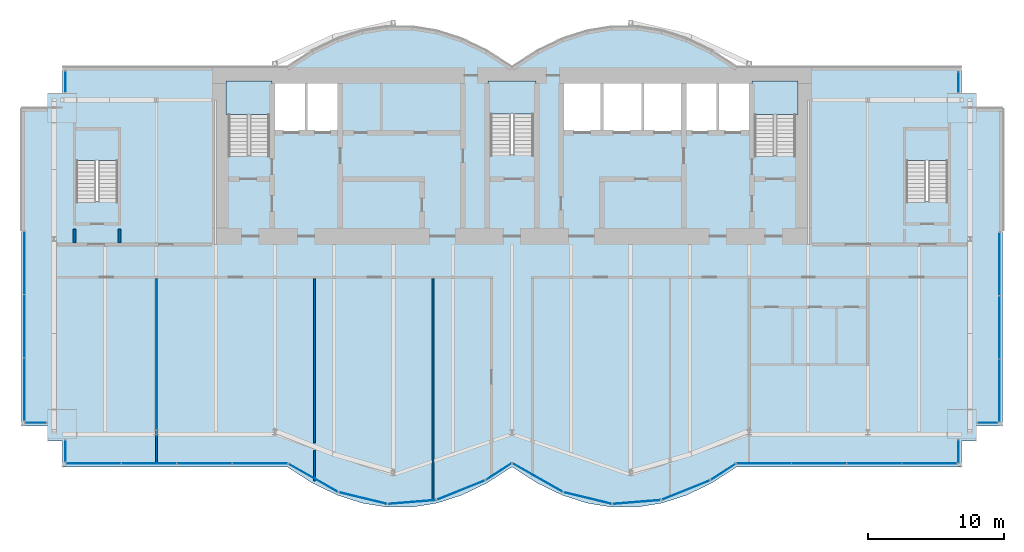
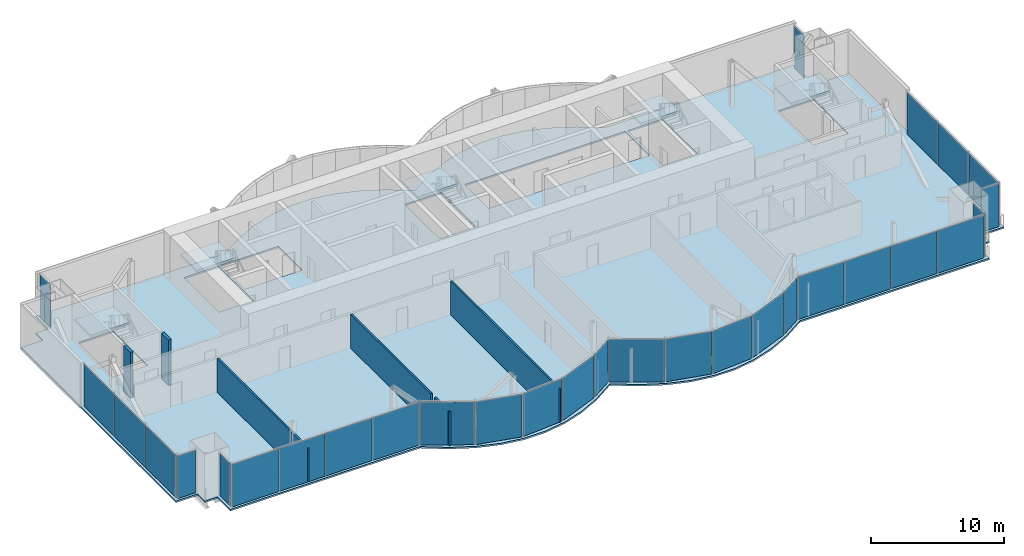
# One storey, part 12 of 19: 30 plates, 6 slabs, 6 walls, 17 elements without a shape of their own.
"""IFC4 building model written with IfcOpenShell, lengths in metres."""

import ifcopenshell
import ifcopenshell.guid

model = None  # the IFC model being written
_history = None  # IfcOwnerHistory: only IFC2X3 demands one
_inside = {}  # id of a spatial element -> (the spatial element, [elements in it])
_under = {}  # id of a project, library or spatial element -> (it, [spatial elements below it])
_declared = {}  # id of a project -> (the project, [libraries it declares])
_typed = {}  # id of a type object -> (the type object, [elements of that type])
_made_of = {}  # id of a material, layer set ... -> (it, [elements and type objects made of it])


def new_model(schema):
    """Start an empty IFC model of exactly this schema.

    Asked for "IFC4X3", IfcOpenShell would pick the latest addendum, in which some entities
    have other attributes; the version numbers below select the first issue.
    IFC2X3 requires an IfcOwnerHistory on every rooted entity: one is made here for all.
    """
    global model, _history
    if schema == "IFC4X3":
        model = ifcopenshell.file(schema_version=(4, 3, 0, 0))
    else:
        model = ifcopenshell.file(schema=schema)
    _inside.clear()
    _under.clear()
    _declared.clear()
    _typed.clear()
    _made_of.clear()
    _history = None
    if model.schema == "IFC2X3":
        org = make("IfcOrganization", Name="unknown")
        user = make(
            "IfcPersonAndOrganization",
            ThePerson=make("IfcPerson", FamilyName="unknown"),
            TheOrganization=org,
        )
        app = make(
            "IfcApplication",
            ApplicationDeveloper=org,
            Version="unknown",
            ApplicationFullName="unknown",
            ApplicationIdentifier="unknown",
        )
        _history = make(
            "IfcOwnerHistory",
            OwningUser=user,
            OwningApplication=app,
            ChangeAction="ADDED",
            CreationDate=0,
        )
    return model


def make(cls, **values):
    """One entity of the class cls with the attributes given. An attribute that is None is left unset."""
    return model.create_entity(
        cls, **{name: value for name, value in values.items() if value is not None}
    )


def rooted(cls, **values):
    """An entity with a GlobalId (a new one), such as an element, a storey or a relation."""
    return make(cls, GlobalId=ifcopenshell.guid.new(), OwnerHistory=_history, **values)


def si_unit(unit_type, name, prefix=None):
    """IfcSIUnit, for example si_unit("LENGTHUNIT", "METRE", prefix="MILLI")."""
    return make("IfcSIUnit", UnitType=unit_type, Prefix=prefix, Name=name)


def assignment(units):
    """IfcUnitAssignment: the units of a project."""
    return None if units is None else make("IfcUnitAssignment", Units=units)


def point(xyz):
    """IfcCartesianPoint."""
    return None if xyz is None else make("IfcCartesianPoint", Coordinates=xyz)


def direction(xyz):
    """IfcDirection."""
    return None if xyz is None else make("IfcDirection", DirectionRatios=xyz)


def frame(location, z_axis=None, x_axis=None):
    """IfcAxis2Placement3D, a coordinate frame: its origin and axes. An axis left out is left unset."""
    return make(
        "IfcAxis2Placement3D",
        Location=point(location),
        Axis=direction(z_axis),
        RefDirection=direction(x_axis),
    )


def frame_2d(location, x_axis=None):
    """IfcAxis2Placement2D, a coordinate frame in the plane: its origin and x axis."""
    return make(
        "IfcAxis2Placement2D", Location=point(location), RefDirection=direction(x_axis)
    )


def origin():
    """The frame at (0, 0, 0) with its axes left unset."""
    return frame((0.0, 0.0, 0.0))


def origin_2d():
    """The frame at (0, 0) in the plane with its x axis left unset."""
    return frame_2d((0.0, 0.0))


def place(relative_to, where):
    """IfcLocalPlacement: puts the frame where relative to a parent placement (None: the world)."""
    return make(
        "IfcLocalPlacement", PlacementRelTo=relative_to, RelativePlacement=where
    )


def context(
    kind, dimensions, precision=None, world=None, true_north=None, identifier=None
):
    """IfcGeometricRepresentationContext, for example the 3D "Model" context."""
    return make(
        "IfcGeometricRepresentationContext",
        ContextIdentifier=identifier,
        ContextType=kind,
        CoordinateSpaceDimension=dimensions,
        Precision=precision,
        WorldCoordinateSystem=world,
        TrueNorth=true_north,
    )


def subcontext(parent, identifier, kind, view, scale=None):
    """IfcGeometricRepresentationSubContext, for example "Body" below "Model"."""
    return make(
        "IfcGeometricRepresentationSubContext",
        ContextIdentifier=identifier,
        ContextType=kind,
        ParentContext=parent,
        TargetScale=scale,
        TargetView=view,
    )


def project(units=None, contexts=None):
    """IfcProject with its units and contexts."""
    return rooted(
        "IfcProject",
        Name="project",
        RepresentationContexts=contexts,
        UnitsInContext=assignment(units),
    )


def spatial(cls, under=None, at=None, **own):
    """A site, building, storey or space (cls), placed at a placement, below another one or the project."""
    s = rooted(cls, ObjectPlacement=at, **own)
    if under is not None:
        _under.setdefault(under.id(), (under, []))[1].append(s)
    return s


def polyline(points):
    """IfcPolyline through the points."""
    return make("IfcPolyline", Points=[point(p) for p in points])


def profile(cls, at=None, kind="AREA", **sizes):
    """A parametric profile (cls). Its sizes go by their IFC names, for example OverallWidth=200.0."""
    return make(cls, ProfileType=kind, Position=at, **sizes)


def rectangle(**sizes):
    """IfcRectangleProfileDef."""
    return profile("IfcRectangleProfileDef", **sizes)


def outline(outer, holes=None, kind="AREA"):
    """IfcArbitraryClosedProfileDef: a profile drawn as a closed curve; with holes, ...WithVoids."""
    if holes is None:
        return make("IfcArbitraryClosedProfileDef", ProfileType=kind, OuterCurve=outer)
    return make(
        "IfcArbitraryProfileDefWithVoids",
        ProfileType=kind,
        OuterCurve=outer,
        InnerCurves=holes,
    )


def extrude(swept, where, along, depth):
    """IfcExtrudedAreaSolid: the profile swept, set in the frame where, extruded along a direction by depth."""
    return make(
        "IfcExtrudedAreaSolid",
        SweptArea=swept,
        Position=where,
        ExtrudedDirection=direction(along),
        Depth=depth,
    )


def shape(context_of_items, identifier, shape_type, items):
    """IfcShapeRepresentation: the items that make up one representation, for example the "Body"."""
    return make(
        "IfcShapeRepresentation",
        ContextOfItems=context_of_items,
        RepresentationIdentifier=identifier,
        RepresentationType=shape_type,
        Items=items,
    )


def material(Name=None, Category=None):
    """IfcMaterial."""
    return make("IfcMaterial", Name=Name, Category=Category)


def layer(
    of_material, thickness, ventilated=None, Name=None, Category=None, Priority=None
):
    """IfcMaterialLayer: one layer of a wall or slab, of a material (None: an air gap)."""
    return make(
        "IfcMaterialLayer",
        Material=of_material,
        LayerThickness=thickness,
        IsVentilated=ventilated,
        Name=Name,
        Category=Category,
        Priority=Priority,
    )


def layer_set(layers, Name=None):
    """IfcMaterialLayerSet."""
    return make("IfcMaterialLayerSet", MaterialLayers=layers, LayerSetName=Name)


def made_of(thing, what):
    """Note that an element or type object is made of a material, layer set ...; save() writes the relation."""
    if what is not None:
        _made_of.setdefault(what.id(), (what, []))[1].append(thing)
    return thing


def type_object(cls, material=None, **own):
    """A type object (cls), such as IfcWallType, which elements share."""
    return made_of(rooted(cls, **own), material)


def element(
    cls,
    number,
    at=None,
    inside=None,
    cuts=None,
    type_object=None,
    material=None,
    context=None,
    identifier="Body",
    shape_type=None,
    held_by="IfcProductDefinitionShape",
    body=None,
    shapes=None,
    **own,
):
    """One element of the class cls, such as IfcWall. Its Tag is "e" and its number.

    at: its placement. inside: the storey or other place that contains it. cuts: it is an
    opening in that element (IfcRelVoidsElement). A single representation is given by context,
    identifier, shape_type and body (its items); several are given by shapes. held_by: the class
    of the entity that holds the representations. save() writes the other relations.
    """
    e = rooted(cls, Tag="e%d" % number, ObjectPlacement=at, **own)
    if body is not None:
        shapes = [shape(context, identifier, shape_type, body)]
    if shapes is not None:
        e.Representation = make(held_by, Representations=shapes)
    if inside is not None:
        _inside.setdefault(inside.id(), (inside, []))[1].append(e)
    if cuts is not None:
        rooted(
            "IfcRelVoidsElement", RelatingBuildingElement=cuts, RelatedOpeningElement=e
        )
    if type_object is not None:
        _typed.setdefault(type_object.id(), (type_object, []))[1].append(e)
    return made_of(e, material)


def aggregate(whole, parts):
    """IfcRelAggregates: a whole, such as a stair, and the parts it consists of."""
    return rooted("IfcRelAggregates", RelatingObject=whole, RelatedObjects=parts)


def save(model, path):
    """Write the relations noted so far, then the file.

    IfcRelAggregates (storeys below a building ...), IfcRelContainedInSpatialStructure (elements
    in a storey), IfcRelDefinesByType, IfcRelAssociatesMaterial and IfcRelDeclares: one each for
    every whole, place, type object, material and project.
    """
    for whole, parts in _under.values():
        aggregate(whole, parts)
    for where, things in _inside.values():
        rooted(
            "IfcRelContainedInSpatialStructure",
            RelatedElements=things,
            RelatingStructure=where,
        )
    for kind, things in _typed.values():
        rooted("IfcRelDefinesByType", RelatedObjects=things, RelatingType=kind)
    for what, things in _made_of.values():
        rooted("IfcRelAssociatesMaterial", RelatedObjects=things, RelatingMaterial=what)
    for by, libraries in _declared.values():
        rooted("IfcRelDeclares", RelatingContext=by, RelatedDefinitions=libraries)
    model.write(path)


model = new_model("IFC4")

# Units and contexts
model_context = context("Model", 3, precision=1e-05, world=origin(), true_north=direction((0.0, 1.0)))
body_context = subcontext(model_context, "Body", "Model", "MODEL_VIEW")
ifc_project = project(units=[si_unit("LENGTHUNIT", "METRE"), si_unit("AREAUNIT", "SQUARE_METRE"), si_unit("VOLUMEUNIT", "CUBIC_METRE"), si_unit("PLANEANGLEUNIT", "RADIAN"), si_unit("MASSUNIT", "GRAM", prefix="KILO")], contexts=[model_context])

# Site, building, storey
site_placement = place(None, origin())
site = spatial("IfcSite", under=ifc_project, at=site_placement, CompositionType="ELEMENT")
building_placement = place(site_placement, origin())
building = spatial("IfcBuilding", under=site, at=building_placement, Name="Bicima Exchange Tower", CompositionType="ELEMENT")
storey_placement = place(building_placement, frame((0.0, 0.0, 258.199951171875)))
storey = spatial("IfcBuildingStorey", under=building, at=storey_placement, Name="L58", CompositionType="ELEMENT", Elevation=258.199951171875)

# Slab
ifc_material_1 = material(Name="Concrete C40/50", Category="concrete")
ifc_layer_1 = layer(ifc_material_1, 0.14990234375)
ifc_layer_set_1 = layer_set([ifc_layer_1], Name="Concrete C40/50")
slab_type_1 = type_object("IfcSlabType", Name="Composite floor slab 150", PredefinedType="FLOOR", material=ifc_layer_set_1)
slab_1_placement = place(storey_placement, frame((0.0, 0.0, -0.14990234375)))
element("IfcSlab", 1, at=slab_1_placement, inside=storey, type_object=slab_type_1, Name="Floor slab", PredefinedType="FLOOR", context=body_context, shape_type="SweptSolid", body=[
    extrude(outline(polyline([(-36.0, -26.31201171875), (-36.0, -3.0), (-34.10009765625, -3.0), (-34.10009765625, -1.89990234375), (-33.0, -1.89990234375), (-33.0, 0.0), (-16.5, 0.0), (-14.666748046875, 1.185302734375), (-12.833251953125, 2.07421875), (-11.0, 2.666748046875), (-9.166748046875, 2.962890625), (-7.333251953125, 2.962890625), (-5.5, 2.666748046875), (-3.666748046875, 2.07421875), (-1.833251953125, 1.185302734375), (0.0, 0.0), (1.833251953125, 1.185302734375), (3.666748046875, 2.07421875), (5.5, 2.666748046875), (7.333251953125, 2.962890625), (9.166748046875, 2.962890625), (11.0, 2.666748046875), (12.833251953125, 2.07421875), (14.666748046875, 1.185302734375), (16.5, 0.0), (33.0, 0.0), (33.0, -1.89990234375), (34.10009765625, -1.89990234375), (34.10009765625, -3.0), (36.0, -3.0), (36.0, -26.31201171875), (34.10009765625, -26.31201171875), (34.10009765625, -27.412109375), (33.0, -27.412109375), (33.0, -29.31201171875), (16.5, -29.31201171875), (14.666748046875, -30.497314453125), (12.833251953125, -31.385986328125), (11.0, -31.978759765625), (9.166748046875, -32.27490234375), (7.333251953125, -32.27490234375), (5.5, -31.978759765625), (3.666748046875, -31.385986328125), (1.833251953125, -30.497314453125), (0.0, -29.31201171875), (-1.833251953125, -30.497314453125), (-3.666748046875, -31.385986328125), (-5.5, -31.978759765625), (-7.333251953125, -32.27490234375), (-9.166748046875, -32.27490234375), (-11.0, -31.978759765625), (-12.833251953125, -31.385986328125), (-14.666748046875, -30.497314453125), (-16.5, -29.31201171875), (-33.0, -29.31201171875), (-33.0, -27.412109375), (-34.10009765625, -27.412109375), (-34.10009765625, -26.31201171875), (-36.0, -26.31201171875)]), holes=[polyline([(-28.925048828125, -9.824951171875), (-28.925048828125, -4.625), (-31.97509765625, -4.625), (-31.97509765625, -9.824951171875), (-28.925048828125, -9.824951171875)]), polyline([(-20.800048828125, -6.449951171875), (-17.800048828125, -6.449951171875), (-17.800048828125, -1.199951171875), (-20.800048828125, -1.199951171875), (-20.800048828125, -6.449951171875)]), polyline([(-1.574951171875, -6.39990234375), (1.574951171875, -6.39990234375), (1.574951171875, -1.199951171875), (-1.574951171875, -1.199951171875), (-1.574951171875, -6.39990234375)]), polyline([(-12.60009765625, -1.199951171875), (-15.10009765625, -1.199951171875), (-17.60009765625, -1.199951171875), (-17.60009765625, -4.800048828125), (-15.10009765625, -4.800048828125), (-12.60009765625, -4.800048828125), (-12.60009765625, -1.199951171875)]), polyline([(3.60009765625, -4.800048828125), (6.60009765625, -4.800048828125), (9.60009765625, -4.800048828125), (12.60009765625, -4.800048828125), (15.10009765625, -4.800048828125), (17.60009765625, -4.800048828125), (17.60009765625, -1.199951171875), (15.10009765625, -1.199951171875), (12.60009765625, -1.199951171875), (9.60009765625, -1.199951171875), (6.60009765625, -1.199951171875), (3.60009765625, -1.199951171875), (3.60009765625, -4.800048828125)]), polyline([(31.97509765625, -9.824951171875), (31.97509765625, -4.625), (28.925048828125, -4.625), (28.925048828125, -9.824951171875), (31.97509765625, -9.824951171875)]), polyline([(17.800048828125, -6.449951171875), (20.800048828125, -6.449951171875), (20.800048828125, -1.199951171875), (17.800048828125, -1.199951171875), (17.800048828125, -6.449951171875)])]), origin(), (0.0, 0.0, 1.0), 0.14990234375),
])

# Curtain wall, plate
ifc_material_2 = material(Name="Anodised bronze aluminium", Category="aluminium")
curtain_wall_type_1 = type_object("IfcCurtainWallType", Name="End face glass wall", PredefinedType="NOTDEFINED", material=ifc_material_2)
curtain_wall_1_placement = place(storey_placement, origin())
curtain_wall_1 = element("IfcCurtainWall", 2, at=curtain_wall_1_placement, inside=storey, type_object=curtain_wall_type_1, Name="End face glass wall L58 run 2", PredefinedType="NOTDEFINED")
ifc_material_3 = material(Name="Bronze tinted glass", Category="glass")
ifc_layer_2 = layer(ifc_material_3, 0.031982421875)
ifc_layer_set_2 = layer_set([ifc_layer_2], Name="Bronze tinted glass")
plate_type_1 = type_object("IfcPlateType", Name="End face glass wall glass panel 32", PredefinedType="CURTAIN_PANEL", material=ifc_layer_set_2)
plate_1_placement = place(storey_placement, frame((-35.77001953125, -23.648193359375, 0.0), z_axis=(0.0, 0.0, 1.0), x_axis=(0.0, -1.0, 0.0)))
plate_1 = element("IfcPlate", 3, at=plate_1_placement, type_object=plate_type_1, Name="End face glass wall panel 3.1", PredefinedType="CURTAIN_PANEL", context=body_context, shape_type="SweptSolid", body=[
    extrude(rectangle(XDim=4.58740234375, YDim=0.031982421875, at=origin_2d()), origin(), (0.0, 0.0, 1.0), 3.909912109375),
])

curtain_wall_2_placement = place(storey_placement, origin())
curtain_wall_2 = element("IfcCurtainWall", 4, at=curtain_wall_2_placement, inside=storey, type_object=curtain_wall_type_1, Name="End face glass wall L58 run 19", PredefinedType="NOTDEFINED")
plate_2_placement = place(storey_placement, frame((35.77001953125, -23.728271484375, 0.0), z_axis=(0.0, 0.0, 1.0), x_axis=(0.0, 1.0, 0.0)))
plate_2 = element("IfcPlate", 5, at=plate_2_placement, type_object=plate_type_1, Name="End face glass wall panel 1.1", PredefinedType="CURTAIN_PANEL", context=body_context, shape_type="SweptSolid", body=[
    extrude(rectangle(XDim=4.58740234375, YDim=0.031982421875, at=origin_2d()), origin(), (0.0, 0.0, 1.0), 3.909912109375),
])

# Plate
ifc_material_4 = material(Name="Bronze anodised aluminium", Category="aluminium")
ifc_layer_3 = layer(ifc_material_4, 0.031982421875)
ifc_layer_set_3 = layer_set([ifc_layer_3], Name="Bronze anodised aluminium")
plate_type_2 = type_object("IfcPlateType", Name="End face glass wall spandrel panel 32", PredefinedType="CURTAIN_PANEL", material=ifc_layer_set_3)
plate_3_placement = place(storey_placement, frame((-35.77001953125, -14.353759765625, 0.0), z_axis=(0.0, 0.0, 1.0), x_axis=(0.0, -1.0, 0.0)))
plate_3 = element("IfcPlate", 6, at=plate_3_placement, type_object=plate_type_2, Name="End face spandrel wall panel 1.1", PredefinedType="CURTAIN_PANEL", context=body_context, shape_type="SweptSolid", body=[
    extrude(rectangle(XDim=4.58740234375, YDim=0.031982421875, at=origin_2d()), origin(), (0.0, 0.0, 1.0), 3.909912109375),
])

plate_4_placement = place(storey_placement, frame((-35.77001953125, -19.0009765625, 0.0), z_axis=(0.0, 0.0, 1.0), x_axis=(0.0, -1.0, 0.0)))
plate_4 = element("IfcPlate", 7, at=plate_4_placement, type_object=plate_type_2, Name="End face spandrel wall panel 2.1", PredefinedType="CURTAIN_PANEL", context=body_context, shape_type="SweptSolid", body=[
    extrude(rectangle(XDim=4.58740234375, YDim=0.031982421875, at=origin_2d()), origin(), (0.0, 0.0, 1.0), 3.909912109375),
])

aggregate(curtain_wall_1, [plate_3, plate_4, plate_1])

plate_5_placement = place(storey_placement, frame((35.77001953125, -19.0810546875, 0.0), z_axis=(0.0, 0.0, 1.0), x_axis=(0.0, 1.0, 0.0)))
plate_5 = element("IfcPlate", 8, at=plate_5_placement, type_object=plate_type_2, Name="End face spandrel wall panel 2.1", PredefinedType="CURTAIN_PANEL", context=body_context, shape_type="SweptSolid", body=[
    extrude(rectangle(XDim=4.58740234375, YDim=0.031982421875, at=origin_2d()), origin(), (0.0, 0.0, 1.0), 3.909912109375),
])

plate_6_placement = place(storey_placement, frame((35.77001953125, -14.43359375, 0.0), z_axis=(0.0, 0.0, 1.0), x_axis=(0.0, 1.0, 0.0)))
plate_6 = element("IfcPlate", 9, at=plate_6_placement, type_object=plate_type_2, Name="End face spandrel wall panel 3.1", PredefinedType="CURTAIN_PANEL", context=body_context, shape_type="SweptSolid", body=[
    extrude(rectangle(XDim=4.58740234375, YDim=0.031982421875, at=origin_2d()), origin(), (0.0, 0.0, 1.0), 3.909912109375),
])

aggregate(curtain_wall_2, [plate_2, plate_5, plate_6])

# Curtain wall, plate
curtain_wall_type_2 = type_object("IfcCurtainWallType", Name="Front glass wall", PredefinedType="NOTDEFINED", material=ifc_material_2)
curtain_wall_3_placement = place(storey_placement, origin())
curtain_wall_3 = element("IfcCurtainWall", 10, at=curtain_wall_3_placement, inside=storey, type_object=curtain_wall_type_2, Name="Front glass wall L58 run 1", PredefinedType="NOTDEFINED")
ifc_layer_4 = layer(ifc_material_3, 0.031982421875)
ifc_layer_set_4 = layer_set([ifc_layer_4], Name="Bronze tinted glass")
plate_type_3 = type_object("IfcPlateType", Name="Front glass wall glass panel 32", PredefinedType="CURTAIN_PANEL", material=ifc_layer_set_4)
plate_7_placement = place(storey_placement, frame((-32.77001953125, -1.06494140625, 0.0), z_axis=(0.0, 0.0, 1.0), x_axis=(0.0, -1.0, 0.0)))
plate_7 = element("IfcPlate", 11, at=plate_7_placement, type_object=plate_type_3, Name="Front glass wall panel 1.1", PredefinedType="CURTAIN_PANEL", context=body_context, shape_type="SweptSolid", body=[
    extrude(rectangle(XDim=1.550048828125, YDim=0.031982421875, at=origin_2d()), origin(), (0.0, 0.0, 1.0), 3.909912109375),
])
aggregate(curtain_wall_3, [plate_7])

curtain_wall_4_placement = place(storey_placement, origin())
curtain_wall_4 = element("IfcCurtainWall", 12, at=curtain_wall_4_placement, inside=storey, type_object=curtain_wall_type_2, Name="Front glass wall L58 run 3", PredefinedType="NOTDEFINED")
plate_8_placement = place(storey_placement, frame((-34.93505859375, -26.08203125, 0.0), z_axis=(0.0, 0.0, 1.0), x_axis=(1.0, 0.0, 0.0)))
plate_8 = element("IfcPlate", 13, at=plate_8_placement, type_object=plate_type_3, Name="Front glass wall panel 1.1", PredefinedType="CURTAIN_PANEL", context=body_context, shape_type="SweptSolid", body=[
    extrude(rectangle(XDim=1.550048828125, YDim=0.031982421875, at=origin_2d()), origin(), (0.0, 0.0, 1.0), 3.909912109375),
])
aggregate(curtain_wall_4, [plate_8])

curtain_wall_5_placement = place(storey_placement, origin())
curtain_wall_5 = element("IfcCurtainWall", 14, at=curtain_wall_5_placement, inside=storey, type_object=curtain_wall_type_2, Name="Front glass wall L58 run 4", PredefinedType="NOTDEFINED")
plate_9_placement = place(storey_placement, frame((-32.77001953125, -28.14599609375, 0.0), z_axis=(0.0, 0.0, 1.0), x_axis=(0.0, -1.0, 0.0)))
plate_9 = element("IfcPlate", 15, at=plate_9_placement, type_object=plate_type_3, Name="Front glass wall panel 1.1", PredefinedType="CURTAIN_PANEL", context=body_context, shape_type="SweptSolid", body=[
    extrude(rectangle(XDim=1.592041015625, YDim=0.031982421875, at=origin_2d()), origin(), (0.0, 0.0, 1.0), 3.909912109375),
])
aggregate(curtain_wall_5, [plate_9])

# Curtain wall, plates
curtain_wall_6_placement = place(storey_placement, origin())
curtain_wall_6 = element("IfcCurtainWall", 16, at=curtain_wall_6_placement, inside=storey, type_object=curtain_wall_type_2, Name="Front glass wall L58 run 5", PredefinedType="NOTDEFINED")
plate_10_placement = place(storey_placement, frame((-30.705322265625, -29.08203125, 0.0), z_axis=(0.0, 0.0, 1.0), x_axis=(1.0, 0.0, 0.0)))
plate_10 = element("IfcPlate", 17, at=plate_10_placement, type_object=plate_type_3, Name="Front glass wall panel 1.1", PredefinedType="CURTAIN_PANEL", context=body_context, shape_type="SweptSolid", body=[
    extrude(rectangle(XDim=4.009521484375, YDim=0.031982421875, at=origin_2d()), origin(), (0.0, 0.0, 1.0), 3.909912109375),
])
plate_11_placement = place(storey_placement, frame((-26.6357421875, -29.08203125, 0.0), z_axis=(0.0, 0.0, 1.0), x_axis=(1.0, 0.0, 0.0)))
plate_11 = element("IfcPlate", 18, at=plate_11_placement, type_object=plate_type_3, Name="Front glass wall panel 2.1", PredefinedType="CURTAIN_PANEL", context=body_context, shape_type="SweptSolid", body=[
    extrude(rectangle(XDim=4.009521484375, YDim=0.031982421875, at=origin_2d()), origin(), (0.0, 0.0, 1.0), 3.909912109375),
])
plate_12_placement = place(storey_placement, frame((-18.496826171875, -29.08203125, 0.0), z_axis=(0.0, 0.0, 1.0), x_axis=(1.0, 0.0, 0.0)))
plate_12 = element("IfcPlate", 19, at=plate_12_placement, type_object=plate_type_3, Name="Front glass wall panel 4.1", PredefinedType="CURTAIN_PANEL", context=body_context, shape_type="SweptSolid", body=[
    extrude(rectangle(XDim=4.009521484375, YDim=0.031982421875, at=origin_2d()), origin(), (0.0, 0.0, 1.0), 3.909912109375),
])

curtain_wall_7_placement = place(storey_placement, origin())
curtain_wall_7 = element("IfcCurtainWall", 20, at=curtain_wall_7_placement, inside=storey, type_object=curtain_wall_type_2, Name="Front glass wall L58 run 6", PredefinedType="NOTDEFINED")
plate_13_placement = place(storey_placement, frame((-7.35107421875, -31.899658203125, 0.0), z_axis=(0.0, 0.0, 1.0), x_axis=(0.99674744821, 0.080588612633, 0.0)))
plate_13 = element("IfcPlate", 21, at=plate_13_placement, type_object=plate_type_3, Name="Front glass wall panel 1.1", PredefinedType="CURTAIN_PANEL", context=body_context, shape_type="SweptSolid", body=[
    extrude(rectangle(XDim=3.486083984375, YDim=0.031982421875, at=origin_2d()), origin(), (0.0, 0.0, 1.0), 3.909912109375),
])
plate_14_placement = place(storey_placement, frame((-3.750244140625, -31.025390625, 0.0), z_axis=(0.0, 0.0, 1.0), x_axis=(0.92714396679, 0.374705304, 0.0)))
plate_14 = element("IfcPlate", 22, at=plate_14_placement, type_object=plate_type_3, Name="Front glass wall panel 1.1", PredefinedType="CURTAIN_PANEL", context=body_context, shape_type="SweptSolid", body=[
    extrude(rectangle(XDim=3.771240234375, YDim=0.031982421875, at=origin_2d()), origin(), (0.0, 0.0, 1.0), 3.909912109375),
])
plate_15_placement = place(storey_placement, frame((-0.97314453125, -29.667236328125, 0.0), z_axis=(0.0, 0.0, 1.0), x_axis=(0.839798994301, 0.542897457326, 0.0)))
plate_15 = element("IfcPlate", 23, at=plate_15_placement, type_object=plate_type_3, Name="Front glass wall panel 1.1", PredefinedType="CURTAIN_PANEL", context=body_context, shape_type="SweptSolid", body=[
    extrude(rectangle(XDim=2.197509765625, YDim=0.031982421875, at=origin_2d()), origin(), (0.0, 0.0, 1.0), 3.909912109375),
])

curtain_wall_8_placement = place(storey_placement, origin())
curtain_wall_8 = element("IfcCurtainWall", 24, at=curtain_wall_8_placement, inside=storey, type_object=curtain_wall_type_2, Name="Front glass wall L58 run 11", PredefinedType="NOTDEFINED")
plate_16_placement = place(storey_placement, frame((1.876220703125, -30.105224609375, 0.0), z_axis=(0.0, 0.0, 1.0), x_axis=(0.869274147378, -0.494330311331, 0.0)))
plate_16 = element("IfcPlate", 25, at=plate_16_placement, type_object=plate_type_3, Name="Front glass wall panel 1.1", PredefinedType="CURTAIN_PANEL", context=body_context, shape_type="SweptSolid", body=[
    extrude(rectangle(XDim=4.197021484375, YDim=0.031982421875, at=origin_2d()), origin(), (0.0, 0.0, 1.0), 3.909912109375),
])
plate_17_placement = place(storey_placement, frame((5.55224609375, -31.608642578125, 0.0), z_axis=(0.0, 0.0, 1.0), x_axis=(0.971830343553, -0.235681529503, 0.0)))
plate_17 = element("IfcPlate", 26, at=plate_17_placement, type_object=plate_type_3, Name="Front glass wall panel 1.1", PredefinedType="CURTAIN_PANEL", context=body_context, shape_type="SweptSolid", body=[
    extrude(rectangle(XDim=3.583251953125, YDim=0.031982421875, at=origin_2d()), origin(), (0.0, 0.0, 1.0), 3.909912109375),
])
plate_18_placement = place(storey_placement, frame((9.14892578125, -31.899658203125, 0.0), z_axis=(0.0, 0.0, 1.0), x_axis=(0.99674744821, 0.080588612633, 0.0)))
plate_18 = element("IfcPlate", 27, at=plate_18_placement, type_object=plate_type_3, Name="Front glass wall panel 1.1", PredefinedType="CURTAIN_PANEL", context=body_context, shape_type="SweptSolid", body=[
    extrude(rectangle(XDim=3.486083984375, YDim=0.031982421875, at=origin_2d()), origin(), (0.0, 0.0, 1.0), 3.909912109375),
])
plate_19_placement = place(storey_placement, frame((15.492919921875, -29.689208984375, 0.0), z_axis=(0.0, 0.0, 1.0), x_axis=(0.839791413941, 0.542909183079, 0.0)))
plate_19 = element("IfcPlate", 28, at=plate_19_placement, type_object=plate_type_3, Name="Front glass wall panel 1.1", PredefinedType="CURTAIN_PANEL", context=body_context, shape_type="SweptSolid", body=[
    extrude(rectangle(XDim=2.11669921875, YDim=0.031982421875, at=origin_2d()), origin(), (0.0, 0.0, 1.0), 3.909912109375),
])

curtain_wall_9_placement = place(storey_placement, origin())
curtain_wall_9 = element("IfcCurtainWall", 29, at=curtain_wall_9_placement, inside=storey, type_object=curtain_wall_type_2, Name="Front glass wall L58 run 16", PredefinedType="NOTDEFINED")
plate_20_placement = place(storey_placement, frame((18.48681640625, -29.08203125, 0.0), z_axis=(0.0, 0.0, 1.0), x_axis=(1.0, 0.0, 0.0)))
plate_20 = element("IfcPlate", 30, at=plate_20_placement, type_object=plate_type_3, Name="Front glass wall panel 1.1", PredefinedType="CURTAIN_PANEL", context=body_context, shape_type="SweptSolid", body=[
    extrude(rectangle(XDim=3.989501953125, YDim=0.031982421875, at=origin_2d()), origin(), (0.0, 0.0, 1.0), 3.909912109375),
])
plate_21_placement = place(storey_placement, frame((26.585693359375, -29.08203125, 0.0), z_axis=(0.0, 0.0, 1.0), x_axis=(1.0, 0.0, 0.0)))
plate_21 = element("IfcPlate", 31, at=plate_21_placement, type_object=plate_type_3, Name="Front glass wall panel 3.1", PredefinedType="CURTAIN_PANEL", context=body_context, shape_type="SweptSolid", body=[
    extrude(rectangle(XDim=3.989501953125, YDim=0.031982421875, at=origin_2d()), origin(), (0.0, 0.0, 1.0), 3.909912109375),
])
plate_22_placement = place(storey_placement, frame((30.63525390625, -29.08203125, 0.0), z_axis=(0.0, 0.0, 1.0), x_axis=(1.0, 0.0, 0.0)))
plate_22 = element("IfcPlate", 32, at=plate_22_placement, type_object=plate_type_3, Name="Front glass wall panel 4.1", PredefinedType="CURTAIN_PANEL", context=body_context, shape_type="SweptSolid", body=[
    extrude(rectangle(XDim=3.989501953125, YDim=0.031982421875, at=origin_2d()), origin(), (0.0, 0.0, 1.0), 3.909912109375),
])

# Curtain wall, plate
curtain_wall_10_placement = place(storey_placement, origin())
curtain_wall_10 = element("IfcCurtainWall", 33, at=curtain_wall_10_placement, inside=storey, type_object=curtain_wall_type_2, Name="Front glass wall L58 run 17", PredefinedType="NOTDEFINED")
plate_23_placement = place(storey_placement, frame((32.77001953125, -28.18603515625, 0.0), z_axis=(0.0, 0.0, 1.0), x_axis=(0.0, 1.0, 0.0)))
plate_23 = element("IfcPlate", 34, at=plate_23_placement, type_object=plate_type_3, Name="Front glass wall panel 1.1", PredefinedType="CURTAIN_PANEL", context=body_context, shape_type="SweptSolid", body=[
    extrude(rectangle(XDim=1.672119140625, YDim=0.031982421875, at=origin_2d()), origin(), (0.0, 0.0, 1.0), 3.909912109375),
])
aggregate(curtain_wall_10, [plate_23])

curtain_wall_11_placement = place(storey_placement, origin())
curtain_wall_11 = element("IfcCurtainWall", 35, at=curtain_wall_11_placement, inside=storey, type_object=curtain_wall_type_2, Name="Front glass wall L58 run 18", PredefinedType="NOTDEFINED")
plate_24_placement = place(storey_placement, frame((34.89501953125, -26.08203125, 0.0), z_axis=(0.0, 0.0, 1.0), x_axis=(1.0, 0.0, 0.0)))
plate_24 = element("IfcPlate", 36, at=plate_24_placement, type_object=plate_type_3, Name="Front glass wall panel 1.1", PredefinedType="CURTAIN_PANEL", context=body_context, shape_type="SweptSolid", body=[
    extrude(rectangle(XDim=1.469970703125, YDim=0.031982421875, at=origin_2d()), origin(), (0.0, 0.0, 1.0), 3.909912109375),
])
aggregate(curtain_wall_11, [plate_24])

curtain_wall_12_placement = place(storey_placement, origin())
curtain_wall_12 = element("IfcCurtainWall", 37, at=curtain_wall_12_placement, inside=storey, type_object=curtain_wall_type_2, Name="Front glass wall L58 run 20", PredefinedType="NOTDEFINED")
plate_25_placement = place(storey_placement, frame((32.77001953125, -1.10498046875, 0.0), z_axis=(0.0, 0.0, 1.0), x_axis=(0.0, 1.0, 0.0)))
plate_25 = element("IfcPlate", 38, at=plate_25_placement, type_object=plate_type_3, Name="Front glass wall panel 1.1", PredefinedType="CURTAIN_PANEL", context=body_context, shape_type="SweptSolid", body=[
    extrude(rectangle(XDim=1.469970703125, YDim=0.031982421875, at=origin_2d()), origin(), (0.0, 0.0, 1.0), 3.909912109375),
])
aggregate(curtain_wall_12, [plate_25])

# Plate
ifc_layer_5 = layer(ifc_material_4, 0.031982421875)
ifc_layer_set_5 = layer_set([ifc_layer_5], Name="Bronze anodised aluminium")
plate_type_4 = type_object("IfcPlateType", Name="Front glass wall spandrel panel 32", PredefinedType="CURTAIN_PANEL", material=ifc_layer_set_5)
plate_26_placement = place(storey_placement, frame((-22.56640625, -29.08203125, 0.0), z_axis=(0.0, 0.0, 1.0), x_axis=(1.0, 0.0, 0.0)))
plate_26 = element("IfcPlate", 39, at=plate_26_placement, type_object=plate_type_4, Name="Front spandrel wall panel 3.1", PredefinedType="CURTAIN_PANEL", context=body_context, shape_type="SweptSolid", body=[
    extrude(rectangle(XDim=4.009521484375, YDim=0.031982421875, at=origin_2d()), origin(), (0.0, 0.0, 1.0), 3.909912109375),
])

aggregate(curtain_wall_6, [plate_10, plate_11, plate_26, plate_12])

plate_27_placement = place(storey_placement, frame((-14.589599609375, -30.127197265625, 0.0), z_axis=(0.0, 0.0, 1.0), x_axis=(0.869805110681, -0.493395449343, 0.0)))
plate_27 = element("IfcPlate", 40, at=plate_27_placement, type_object=plate_type_4, Name="Front spandrel wall panel 1.1", PredefinedType="CURTAIN_PANEL", context=body_context, shape_type="SweptSolid", body=[
    extrude(rectangle(XDim=4.1162109375, YDim=0.031982421875, at=origin_2d()), origin(), (0.0, 0.0, 1.0), 3.909912109375),
])

plate_28_placement = place(storey_placement, frame((-10.94775390625, -31.608642578125, 0.0), z_axis=(0.0, 0.0, 1.0), x_axis=(0.971830343553, -0.235681529503, 0.0)))
plate_28 = element("IfcPlate", 41, at=plate_28_placement, type_object=plate_type_4, Name="Front spandrel wall panel 1.1", PredefinedType="CURTAIN_PANEL", context=body_context, shape_type="SweptSolid", body=[
    extrude(rectangle(XDim=3.583251953125, YDim=0.031982421875, at=origin_2d()), origin(), (0.0, 0.0, 1.0), 3.909912109375),
])

aggregate(curtain_wall_7, [plate_27, plate_28, plate_13, plate_14, plate_15])

plate_29_placement = place(storey_placement, frame((12.749755859375, -31.025390625, 0.0), z_axis=(0.0, 0.0, 1.0), x_axis=(0.92714396679, 0.374705304, 0.0)))
plate_29 = element("IfcPlate", 42, at=plate_29_placement, type_object=plate_type_4, Name="Front spandrel wall panel 1.1", PredefinedType="CURTAIN_PANEL", context=body_context, shape_type="SweptSolid", body=[
    extrude(rectangle(XDim=3.771240234375, YDim=0.031982421875, at=origin_2d()), origin(), (0.0, 0.0, 1.0), 3.909912109375),
])

aggregate(curtain_wall_8, [plate_16, plate_17, plate_18, plate_29, plate_19])

plate_30_placement = place(storey_placement, frame((22.536376953125, -29.08203125, 0.0), z_axis=(0.0, 0.0, 1.0), x_axis=(1.0, 0.0, 0.0)))
plate_30 = element("IfcPlate", 43, at=plate_30_placement, type_object=plate_type_4, Name="Front spandrel wall panel 2.1", PredefinedType="CURTAIN_PANEL", context=body_context, shape_type="SweptSolid", body=[
    extrude(rectangle(XDim=3.989501953125, YDim=0.031982421875, at=origin_2d()), origin(), (0.0, 0.0, 1.0), 3.909912109375),
])

aggregate(curtain_wall_9, [plate_20, plate_30, plate_21, plate_22])

# Stair, slab
ifc_material_5 = material(Name="Concrete C50/60", Category="concrete")
stair_type_1 = type_object("IfcStairType", Name="Exit stair", PredefinedType="HALF_TURN_STAIR", material=ifc_material_5)
stair_1_placement = place(storey_placement, origin())
stair_1 = element("IfcStair", 44, at=stair_1_placement, inside=storey, type_object=stair_type_1, Name="L58 West exit stair", PredefinedType="HALF_TURN_STAIR")
ifc_layer_6 = layer(ifc_material_5, 0.199951171875)
ifc_layer_set_6 = layer_set([ifc_layer_6], Name="Concrete C50/60")
slab_type_2 = type_object("IfcSlabType", Name="Stair landing slab", PredefinedType="LANDING", material=ifc_layer_set_6)
slab_2_placement = place(storey_placement, frame((0.0, 0.0, 1.900146484375)))
slab_2 = element("IfcSlab", 45, at=slab_2_placement, type_object=slab_type_2, Name="ST-W landing 1", PredefinedType="LANDING", context=body_context, shape_type="SweptSolid", body=[
    extrude(outline(polyline([(-17.60009765625, -3.469970703125), (-17.60009765625, -1.0), (-21.0, -1.0), (-21.0, -3.469970703125), (-17.60009765625, -3.469970703125)])), origin(), (0.0, 0.0, 1.0), 0.199951171875),
])
aggregate(stair_1, [slab_2])

stair_type_2 = type_object("IfcStairType", Name="Exit stair 1500", PredefinedType="HALF_TURN_STAIR", material=ifc_material_5)
stair_2_placement = place(storey_placement, origin())
stair_2 = element("IfcStair", 46, at=stair_2_placement, inside=storey, type_object=stair_type_2, Name="L58 Central exit stair", PredefinedType="HALF_TURN_STAIR")
slab_3_placement = place(storey_placement, frame((0.0, 0.0, 1.900146484375)))
slab_3 = element("IfcSlab", 47, at=slab_3_placement, type_object=slab_type_2, Name="ST-C landing 1", PredefinedType="LANDING", context=body_context, shape_type="SweptSolid", body=[
    extrude(outline(polyline([(1.77490234375, -3.419921875), (1.77490234375, -1.0), (-1.77490234375, -1.0), (-1.77490234375, -3.419921875), (1.77490234375, -3.419921875)])), origin(), (0.0, 0.0, 1.0), 0.199951171875),
])
aggregate(stair_2, [slab_3])

stair_3_placement = place(storey_placement, origin())
stair_3 = element("IfcStair", 48, at=stair_3_placement, inside=storey, type_object=stair_type_1, Name="L58 East exit stair", PredefinedType="HALF_TURN_STAIR")
slab_4_placement = place(storey_placement, frame((0.0, 0.0, 1.900146484375)))
slab_4 = element("IfcSlab", 49, at=slab_4_placement, type_object=slab_type_2, Name="ST-E landing 1", PredefinedType="LANDING", context=body_context, shape_type="SweptSolid", body=[
    extrude(outline(polyline([(21.0, -3.469970703125), (21.0, -1.0), (17.60009765625, -1.0), (17.60009765625, -3.469970703125), (21.0, -3.469970703125)])), origin(), (0.0, 0.0, 1.0), 0.199951171875),
])
aggregate(stair_3, [slab_4])

stair_4_placement = place(storey_placement, origin())
stair_4 = element("IfcStair", 50, at=stair_4_placement, inside=storey, type_object=stair_type_1, Name="L58 West end exit stair", PredefinedType="HALF_TURN_STAIR")
slab_5_placement = place(storey_placement, frame((0.0, 0.0, 1.900146484375)))
slab_5 = element("IfcSlab", 51, at=slab_5_placement, type_object=slab_type_2, Name="ST-WW landing 1", PredefinedType="LANDING", context=body_context, shape_type="SweptSolid", body=[
    extrude(outline(polyline([(-28.72509765625, -6.844970703125), (-28.72509765625, -4.425048828125), (-32.175048828125, -4.425048828125), (-32.175048828125, -6.844970703125), (-28.72509765625, -6.844970703125)])), origin(), (0.0, 0.0, 1.0), 0.199951171875),
])
aggregate(stair_4, [slab_5])

stair_5_placement = place(storey_placement, origin())
stair_5 = element("IfcStair", 52, at=stair_5_placement, inside=storey, type_object=stair_type_1, Name="L58 East end exit stair", PredefinedType="HALF_TURN_STAIR")
slab_6_placement = place(storey_placement, frame((0.0, 0.0, 1.900146484375)))
slab_6 = element("IfcSlab", 53, at=slab_6_placement, type_object=slab_type_2, Name="ST-EE landing 1", PredefinedType="LANDING", context=body_context, shape_type="SweptSolid", body=[
    extrude(outline(polyline([(32.175048828125, -6.844970703125), (32.175048828125, -4.425048828125), (28.72509765625, -4.425048828125), (28.72509765625, -6.844970703125), (32.175048828125, -6.844970703125)])), origin(), (0.0, 0.0, 1.0), 0.199951171875),
])
aggregate(stair_5, [slab_6])

# Walls
ifc_material_6 = material(Name="Gypsum board partition")
ifc_layer_7 = layer(ifc_material_6, 0.14990234375)
ifc_layer_set_7 = layer_set([ifc_layer_7], Name="Gypsum board partition")
wall_type_1 = type_object("IfcWallType", Name="Gypsum partition 150", PredefinedType="PARTITIONING", material=ifc_layer_set_7)
wall_1_placement = place(storey_placement, frame((-26.10009765625, -29.10009765625, 0.0), z_axis=(0.0, 0.0, 1.0), x_axis=(0.0, 1.0, 0.0)))
element("IfcWall", 54, at=wall_1_placement, inside=storey, type_object=wall_type_1, Name="partition wall 13", PredefinedType="PARTITIONING", context=body_context, shape_type="SweptSolid", body=[
    extrude(rectangle(XDim=13.60009765625, YDim=0.14990234375, at=frame_2d((6.800048828125, 0.0))), origin(), (0.0, 0.0, 1.0), 3.1181640625),
])
wall_2_placement = place(storey_placement, frame((-14.5, -30.340087890625, 0.0), z_axis=(0.0, 0.0, 1.0), x_axis=(0.0, 1.0, 0.0)))
element("IfcWall", 55, at=wall_2_placement, inside=storey, type_object=wall_type_1, Name="partition wall 14", PredefinedType="PARTITIONING", context=body_context, shape_type="SweptSolid", body=[
    extrude(rectangle(XDim=2.22998046875, YDim=0.14990234375, at=frame_2d((1.114990234375, 0.0))), origin(), (0.0, 0.0, 1.0), 3.1181640625),
])
wall_3_placement = place(storey_placement, frame((-14.5, -27.550048828125, 0.0), z_axis=(0.0, 0.0, 1.0), x_axis=(0.0, 1.0, 0.0)))
element("IfcWall", 56, at=wall_3_placement, inside=storey, type_object=wall_type_1, Name="partition wall 15", PredefinedType="PARTITIONING", context=body_context, shape_type="SweptSolid", body=[
    extrude(rectangle(XDim=12.050048828125, YDim=0.14990234375, at=frame_2d((6.02490234375, 0.0))), origin(), (0.0, 0.0, 1.0), 3.1181640625),
])
wall_4_placement = place(storey_placement, frame((-5.800048828125, -31.81005859375, 0.0), z_axis=(0.0, 0.0, 1.0), x_axis=(0.0, 1.0, 0.0)))
element("IfcWall", 57, at=wall_4_placement, inside=storey, type_object=wall_type_1, Name="partition wall 16", PredefinedType="PARTITIONING", context=body_context, shape_type="SweptSolid", body=[
    extrude(rectangle(XDim=16.31005859375, YDim=0.14990234375, at=frame_2d((8.155029296875, 0.0))), origin(), (0.0, 0.0, 1.0), 3.1181640625),
])
ifc_layer_8 = layer(ifc_material_5, 0.25)
ifc_layer_set_8 = layer_set([ifc_layer_8], Name="Concrete C50/60")
wall_type_2 = type_object("IfcWallType", Name="RC core wall 250 C50/60", PredefinedType="SHEAR", material=ifc_layer_set_8)
for number, where, z_axis, x_axis, name in (
    (58, (-32.10009765625, -12.89990234375, 0.0), (0.0, 0.0, 1.0), (0.0, 1.0, 0.0), "stair wall 11"),
    (59, (-28.800048828125, -12.89990234375, 0.0), (0.0, 0.0, 1.0), (0.0, 1.0, 0.0), "stair wall 12"),
):
    element("IfcWall", number, at=place(storey_placement, frame(where, z_axis=z_axis, x_axis=x_axis)), inside=storey, type_object=wall_type_2, Name=name, PredefinedType="SHEAR", context=body_context, shape_type="SweptSolid", body=[
        extrude(rectangle(XDim=1.0498046875, YDim=0.25, at=frame_2d((0.52490234375, 0.0))), origin(), (0.0, 0.0, 1.0), 4.199951171875),
    ])

save(model, "model.ifc")
